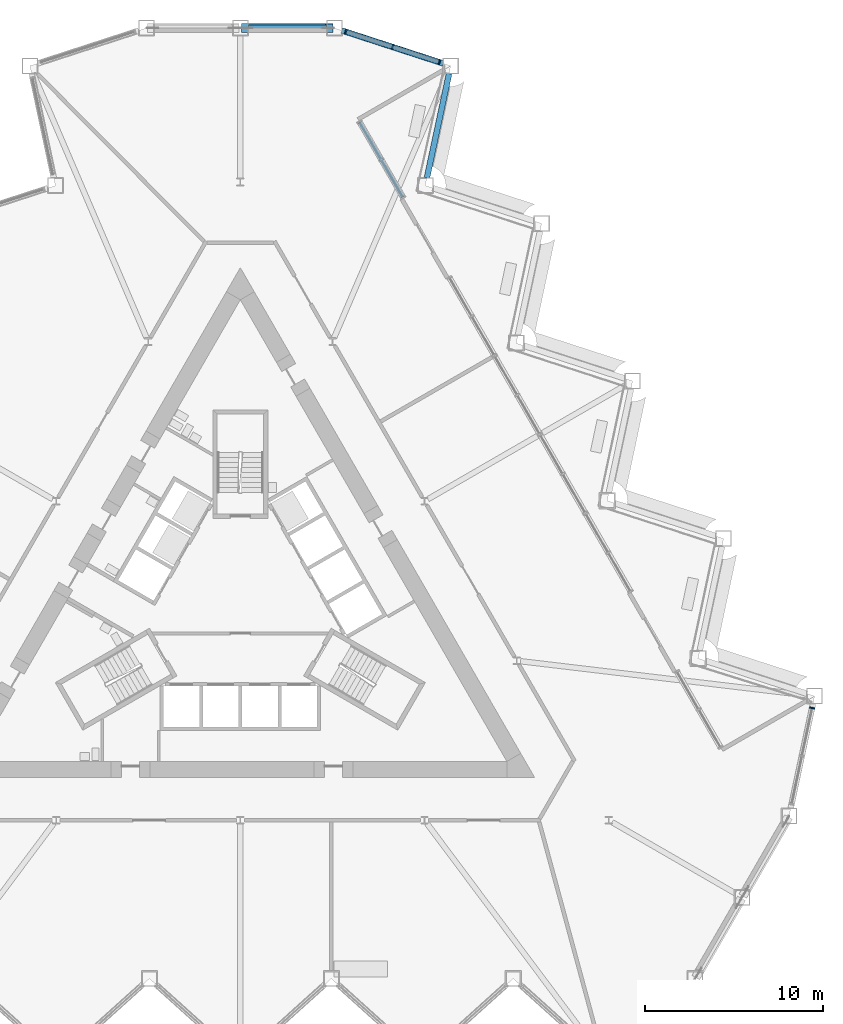
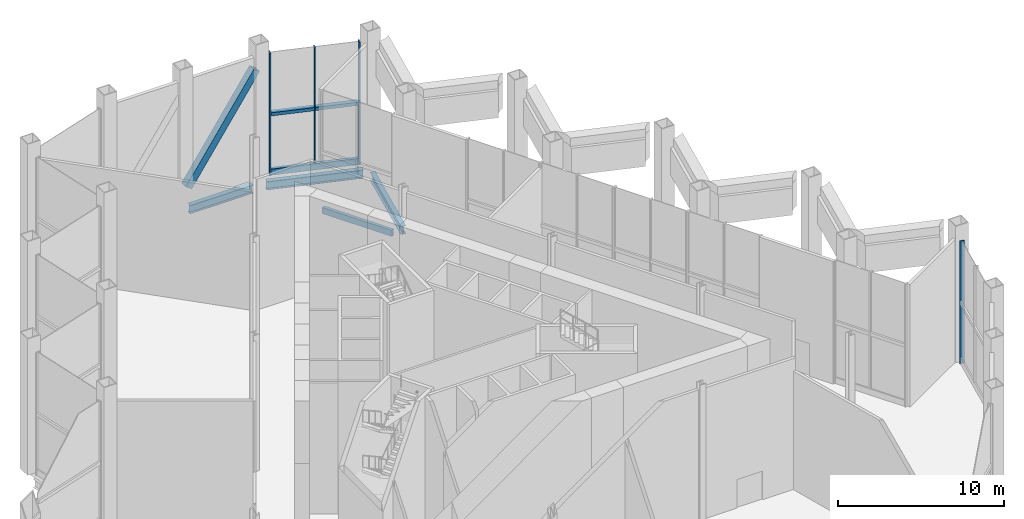
# One storey, part 6 of 18: 9 members, 3 beams, 3 elements without a shape of their own.
"""IFC4 building model written with IfcOpenShell, lengths in metres."""

from ifc_helpers import new_model, si_unit, direction, frame, origin, origin_2d, place, context, subcontext, project, spatial, rectangle, hollow_rectangle, i_section, extrude, material, layer, layer_set, material_profile, profile_set, type_object, element, aggregate, save


model = new_model("IFC4")

# Units and contexts
model_context = context("Model", 3, precision=1e-05, world=origin(), true_north=direction((0.0, 1.0)))
body_context = subcontext(model_context, "Body", "Model", "MODEL_VIEW")
ifc_project = project(units=[si_unit("LENGTHUNIT", "METRE"), si_unit("AREAUNIT", "SQUARE_METRE"), si_unit("VOLUMEUNIT", "CUBIC_METRE"), si_unit("PLANEANGLEUNIT", "RADIAN"), si_unit("MASSUNIT", "GRAM", prefix="KILO")], contexts=[model_context])

# Site, building, storey
site_placement = place(None, origin())
site = spatial("IfcSite", under=ifc_project, at=site_placement, CompositionType="ELEMENT")
building_placement = place(site_placement, origin())
building = spatial("IfcBuilding", under=site, at=building_placement, Name="Cormorant Prow Tower", CompositionType="ELEMENT")
storey_placement = place(building_placement, frame((0.0, 0.0, 154.199951171875)))
storey = spatial("IfcBuildingStorey", under=building, at=storey_placement, Name="L33", CompositionType="ELEMENT", Elevation=154.199951171875)

# Member
ifc_material_1 = material(Name="Structural steel ASTM A500 Gr C", Category="steel")
ifc_material_profile_1 = material_profile(ifc_material_1, hollow_rectangle(XDim=0.508056640625, YDim=0.508056640625, WallThickness=0.014892578125, at=origin_2d()), Name="HSS20x20x5/8")
ifc_profile_set_1 = profile_set([ifc_material_profile_1], Name="Structural steel ASTM A500 Gr C")
member_type_1 = type_object("IfcMemberType", Name="Chamfer brace HSS20x20x5/8", PredefinedType="BRACE", material=ifc_profile_set_1)
member_1_placement = place(storey_placement, frame((0.2802734375, 32.487060546875, 1.01416015625), z_axis=(0.560352158033, 0.0, 0.828254465118), x_axis=(0.0, 1.0, 0.0)))
element("IfcMember", 1, at=member_1_placement, inside=storey, type_object=member_type_1, Name="Chamfer brace BR1 at N00 L33", PredefinedType="BRACE", context=body_context, shape_type="SweptSolid", body=[
    extrude(hollow_rectangle(XDim=0.508056640625, YDim=0.508056640625, WallThickness=0.014892578125, at=origin_2d()), origin(), (0.0, 0.0, 1.0), 8.404052734375),
])

# Curtain wall, members
ifc_material_2 = material(Name="Aluminium 6063-T6", Category="aluminium")
ifc_layer = layer(ifc_material_2, 0.300048828125)
ifc_layer_set = layer_set([ifc_layer], Name="Aluminium 6063-T6")
curtain_wall_type = type_object("IfcCurtainWallType", Name="Sky lobby unitised curtain wall 300", PredefinedType="NOTDEFINED", material=ifc_layer_set)
curtain_wall_1_placement = place(storey_placement, origin())
curtain_wall_1 = element("IfcCurtainWall", 2, at=curtain_wall_1_placement, inside=storey, type_object=curtain_wall_type, Name="Sky lobby curtain wall ENE09", PredefinedType="NOTDEFINED")
ifc_material_3 = material(Name="Aluminium 6063-T6", Category="aluminium")
ifc_material_profile_2 = material_profile(ifc_material_3, rectangle(XDim=0.300048828125, YDim=0.239990234375, at=origin_2d()), Name="Sky lobby intermediate transom 300x240")
ifc_profile_set_2 = profile_set([ifc_material_profile_2], Name="Aluminium 6063-T6")
member_type_2 = type_object("IfcMemberType", Name="Sky lobby intermediate transom 300x240", PredefinedType="USERDEFINED", material=ifc_profile_set_2)
member_2_placement = place(storey_placement, frame((11.115478515625, 30.587646484375, 4.494384765625), z_axis=(-0.95106491238, 0.308991152688, 0.0), x_axis=(-0.308991152688, -0.95106491238, 0.0)))
member_2 = element("IfcMember", 3, at=member_2_placement, type_object=member_type_2, Name="Sky lobby intermediate transom ENE09", ObjectType="TRANSOM", PredefinedType="USERDEFINED", context=body_context, shape_type="SweptSolid", body=[
    extrude(rectangle(XDim=0.300048828125, YDim=0.239990234375, at=origin_2d()), origin(), (0.0, 0.0, 1.0), 2.67529296875),
])
member_3_placement = place(storey_placement, frame((8.4951171875, 31.43896484375, 4.494384765625), z_axis=(-0.95106491238, 0.308991152688, 0.0), x_axis=(-0.308991152688, -0.95106491238, 0.0)))
member_3 = element("IfcMember", 4, at=member_3_placement, type_object=member_type_2, Name="Sky lobby intermediate transom ENE09", ObjectType="TRANSOM", PredefinedType="USERDEFINED", context=body_context, shape_type="SweptSolid", body=[
    extrude(rectangle(XDim=0.300048828125, YDim=0.239990234375, at=origin_2d()), origin(), (0.0, 0.0, 1.0), 2.67529296875),
])

# Curtain wall, member
curtain_wall_2_placement = place(storey_placement, origin())
curtain_wall_2 = element("IfcCurtainWall", 5, at=curtain_wall_2_placement, inside=storey, type_object=curtain_wall_type, Name="Sky lobby curtain wall ENE00", PredefinedType="NOTDEFINED")
ifc_material_4 = material(Name="Aluminium 6063-T6", Category="aluminium")
ifc_material_profile_3 = material_profile(ifc_material_4, rectangle(XDim=0.300048828125, YDim=0.080078125, at=origin_2d()), Name="Sky lobby mullion 80x300")
ifc_profile_set_3 = profile_set([ifc_material_profile_3], Name="Aluminium 6063-T6")
member_type_3 = type_object("IfcMemberType", Name="Sky lobby mullion 80x300", PredefinedType="MULLION", material=ifc_profile_set_3)
member_4_placement = place(storey_placement, frame((32.0556640625, -5.62841796875, 0.0), z_axis=(0.0, 0.0, 1.0), x_axis=(-0.978147599779, 0.207911695308, 0.0)))
member_4 = element("IfcMember", 6, at=member_4_placement, type_object=member_type_3, Name="Sky lobby mullion ENE00", PredefinedType="MULLION", context=body_context, shape_type="SweptSolid", body=[
    extrude(rectangle(XDim=0.300048828125, YDim=0.080078125, at=origin_2d()), origin(), (0.0, 0.0, 1.0), 8.989013671875),
])
aggregate(curtain_wall_2, [member_4])

# Member
member_5_placement = place(storey_placement, frame((11.153564453125, 30.5751953125, 0.0), z_axis=(0.0, 0.0, 1.0), x_axis=(-0.309017099613, -0.951056482101, 0.0)))
member_5 = element("IfcMember", 7, at=member_5_placement, type_object=member_type_3, Name="Sky lobby mullion ENE09", PredefinedType="MULLION", context=body_context, shape_type="SweptSolid", body=[
    extrude(rectangle(XDim=0.300048828125, YDim=0.080078125, at=origin_2d()), origin(), (0.0, 0.0, 1.0), 8.989013671875),
])

member_6_placement = place(storey_placement, frame((8.532958984375, 31.426513671875, 0.449951171875), z_axis=(0.0, 0.0, 1.0), x_axis=(-0.309017099613, -0.951056482101, 0.0)))
member_6 = element("IfcMember", 8, at=member_6_placement, type_object=member_type_3, Name="Sky lobby mullion ENE09", PredefinedType="MULLION", context=body_context, shape_type="SweptSolid", body=[
    extrude(rectangle(XDim=0.300048828125, YDim=0.080078125, at=origin_2d()), origin(), (0.0, 0.0, 1.0), 8.5390625),
])

member_7_placement = place(storey_placement, frame((5.91259765625, 32.278076171875, 0.0), z_axis=(0.0, 0.0, 1.0), x_axis=(-0.309017099613, -0.951056482101, 0.0)))
member_7 = element("IfcMember", 9, at=member_7_placement, type_object=member_type_3, Name="Sky lobby mullion ENE09", PredefinedType="MULLION", context=body_context, shape_type="SweptSolid", body=[
    extrude(rectangle(XDim=0.300048828125, YDim=0.080078125, at=origin_2d()), origin(), (0.0, 0.0, 1.0), 8.989013671875),
])

ifc_material_5 = material(Name="Terracotta", Category="masonry")
ifc_material_profile_4 = material_profile(ifc_material_5, rectangle(XDim=0.219970703125, YDim=0.449951171875, at=origin_2d()), Name="Sky lobby terracotta spandrel rail 220x450")
ifc_profile_set_4 = profile_set([ifc_material_profile_4], Name="Terracotta")
member_type_4 = type_object("IfcMemberType", Name="Sky lobby terracotta spandrel rail 220x450", PredefinedType="USERDEFINED", material=ifc_profile_set_4)
member_8_placement = place(storey_placement, frame((11.115478515625, 30.587646484375, 0.22509765625), z_axis=(-0.951065449866, 0.308989498319, 0.0), x_axis=(-0.308989498319, -0.951065449866, 0.0)))
member_8 = element("IfcMember", 10, at=member_8_placement, type_object=member_type_4, Name="Sky lobby spandrel rail ENE09", ObjectType="TRANSOM", PredefinedType="USERDEFINED", context=body_context, shape_type="SweptSolid", body=[
    extrude(rectangle(XDim=0.219970703125, YDim=0.449951171875, at=origin_2d()), origin(), (0.0, 0.0, 1.0), 5.430419921875),
])

aggregate(curtain_wall_1, [member_5, member_6, member_7, member_8, member_2, member_3])

# Curtain wall, member
curtain_wall_3_placement = place(storey_placement, origin())
curtain_wall_3 = element("IfcCurtainWall", 11, at=curtain_wall_3_placement, inside=storey, type_object=curtain_wall_type, Name="Sky lobby curtain wall loggia ENE08", PredefinedType="NOTDEFINED")
member_9_placement = place(storey_placement, frame((9.1103515625, 23.018798828125, 0.22509765625), z_axis=(-0.500009774648, 0.866019760315, 0.0), x_axis=(-0.866019760315, -0.500009774648, 0.0)))
member_9 = element("IfcMember", 12, at=member_9_placement, type_object=member_type_4, Name="Sky lobby spandrel rail loggia ENE08", ObjectType="TRANSOM", PredefinedType="USERDEFINED", context=body_context, shape_type="SweptSolid", body=[
    extrude(rectangle(XDim=0.219970703125, YDim=0.449951171875, at=origin_2d()), origin(), (0.0, 0.0, 1.0), 4.830078125),
])
aggregate(curtain_wall_3, [member_9])

# Beams
ifc_material_6 = material(Name="Structural steel ASTM A992 Gr 50", Category="steel")
ifc_material_profile_5 = material_profile(ifc_material_6, i_section(OverallWidth=0.32373046875, OverallDepth=0.611083984375, WebThickness=0.0126953125, FlangeThickness=0.01904296875, at=origin_2d()), Name="W24x104")
ifc_profile_set_5 = profile_set([ifc_material_profile_5], Name="Structural steel ASTM A992 Gr 50")
beam_type = type_object("IfcBeamType", Name="Spandrel beam W24x104", PredefinedType="SPANDREL", material=ifc_profile_set_5)
beam_1_placement = place(storey_placement, frame((10.463134765625, 24.09375, -0.70556640625), z_axis=(0.207920947907, 0.978145633033, 0.0), x_axis=(-0.978145633033, 0.207920947907, 0.0)))
element("IfcBeam", 13, at=beam_1_placement, inside=storey, type_object=beam_type, Name="Spandrel beam SB1 ENE08-ENE09 L33", PredefinedType="SPANDREL", context=body_context, shape_type="SweptSolid", body=[
    extrude(i_section(OverallWidth=0.32373046875, OverallDepth=0.611083984375, WebThickness=0.0126953125, FlangeThickness=0.01904296875, at=origin_2d()), origin(), (0.0, 0.0, 1.0), 5.962646484375),
])
beam_2_placement = place(storey_placement, frame((11.368408203125, 30.50537109375, -0.70556640625), z_axis=(-0.951055430656, 0.309020335608, 0.0), x_axis=(-0.309020335608, -0.951055430656, 0.0)))
element("IfcBeam", 14, at=beam_2_placement, inside=storey, type_object=beam_type, Name="Spandrel beam SB1 ENE09-N00 L33", PredefinedType="SPANDREL", context=body_context, shape_type="SweptSolid", body=[
    extrude(i_section(OverallWidth=0.32373046875, OverallDepth=0.611083984375, WebThickness=0.0126953125, FlangeThickness=0.01904296875, at=origin_2d()), origin(), (0.0, 0.0, 1.0), 5.96240234375),
])
beam_3_placement = place(storey_placement, frame((4.819580078125, 32.487060546875, -0.70556640625), z_axis=(-1.0, 0.0, 0.0), x_axis=(0.0, -1.0, 0.0)))
element("IfcBeam", 15, at=beam_3_placement, inside=storey, type_object=beam_type, Name="Spandrel beam SB1 N00-N01 L33", PredefinedType="SPANDREL", context=body_context, shape_type="SweptSolid", body=[
    extrude(i_section(OverallWidth=0.32373046875, OverallDepth=0.611083984375, WebThickness=0.0126953125, FlangeThickness=0.01904296875, at=origin_2d()), origin(), (0.0, 0.0, 1.0), 4.36962890625),
])

save(model, "model.ifc")
